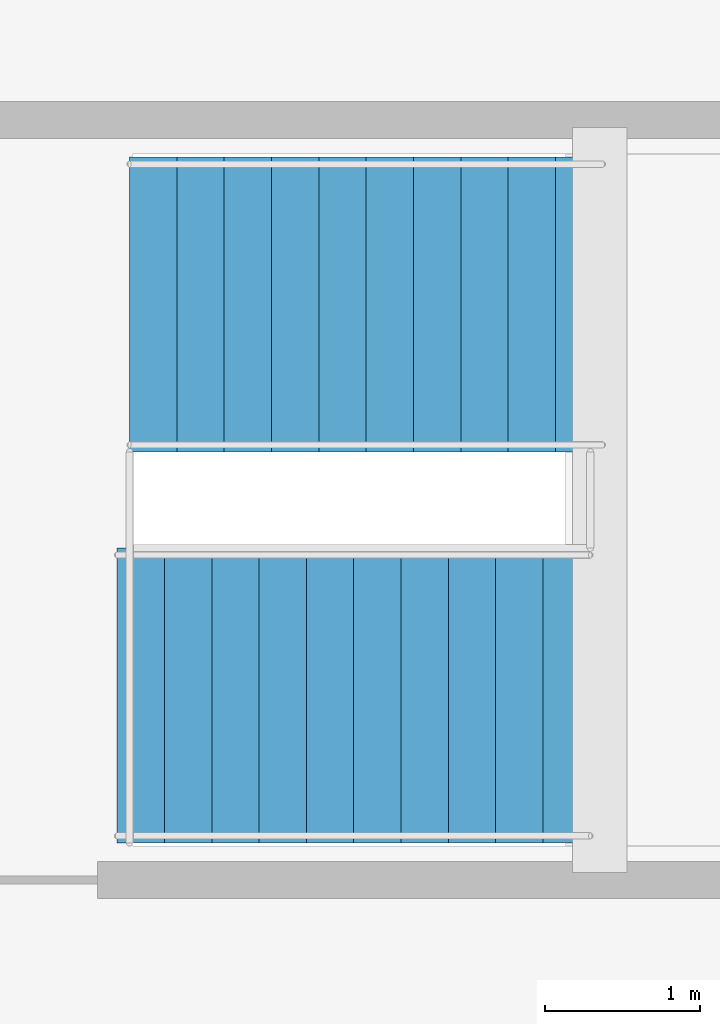
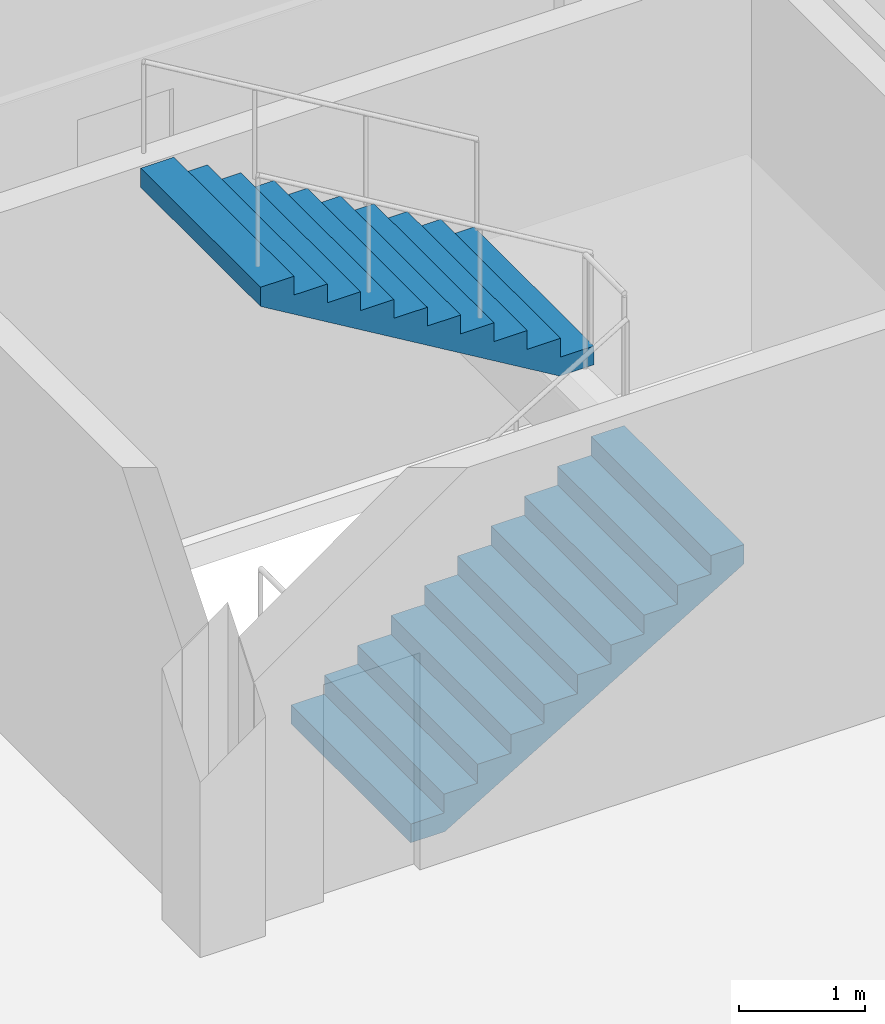
# One storey, part 28 of 31: 2 stair flights, 1 element without a shape of its own.
"""IFC4 building model written with IfcOpenShell, lengths in metres."""

from ifc_helpers import new_model, si_unit, direction, frame, origin, place, context, subcontext, project, spatial, polyline, outline, extrude, material, type_object, element, aggregate, save


model = new_model("IFC4")

# Units and contexts
model_context = context("Model", 3, precision=1e-05, world=origin(), true_north=direction((0.0, 1.0)))
body_context = subcontext(model_context, "Body", "Model", "MODEL_VIEW")
ifc_project = project(units=[si_unit("LENGTHUNIT", "METRE"), si_unit("AREAUNIT", "SQUARE_METRE"), si_unit("VOLUMEUNIT", "CUBIC_METRE"), si_unit("PLANEANGLEUNIT", "RADIAN"), si_unit("MASSUNIT", "GRAM", prefix="KILO")], contexts=[model_context])

# Site, building, storey
site_placement = place(None, origin())
site = spatial("IfcSite", under=ifc_project, at=site_placement, CompositionType="ELEMENT")
building_placement = place(site_placement, origin())
building = spatial("IfcBuilding", under=site, at=building_placement, Name="Celadon Cloister-Ring School", CompositionType="ELEMENT")
storey_placement = place(building_placement, frame((0.0, 0.0, 16.5)))
storey = spatial("IfcBuildingStorey", under=building, at=storey_placement, Name="L04", CompositionType="ELEMENT", Elevation=16.5)

# Stair, stair flights
ifc_material_1 = material(Name="Concrete C35/45", Category="concrete")
stair_type = type_object("IfcStairType", Name="ST-04", PredefinedType="HALF_TURN_STAIR", material=ifc_material_1)
stair_placement = place(storey_placement, origin())
stair = element("IfcStair", 1, at=stair_placement, inside=storey, type_object=stair_type, Name="Exit Stair ST-V5B L04", PredefinedType="HALF_TURN_STAIR")
ifc_material_2 = material(Name="Concrete C35/45", Category="concrete")
stair_flight_type = type_object("IfcStairFlightType", Name="SFL-02", PredefinedType="STRAIGHT", material=ifc_material_2)
stair_flight_1_placement = place(storey_placement, frame((10.18994140625, 51.989990234375, 0.0), z_axis=(0.0, 0.0, 1.0), x_axis=(1.0, 0.0, 0.0)))
stair_flight_1 = element("IfcStairFlight", 2, at=stair_flight_1_placement, type_object=stair_flight_type, Name="ST-04 flight 1", NumberOfRisers=11, NumberOfTreads=10, PredefinedType="STRAIGHT", RiserHeight=0.181818182, TreadLength=0.305, context=body_context, shape_type="SweptSolid", body=[
    extrude(outline(polyline([(0.0, 0.0), (0.0, 0.181884765625), (0.304931640625, 0.181884765625), (0.304931640625, 0.363525390625), (0.610107421875, 0.363525390625), (0.610107421875, 0.54541015625), (0.9150390625, 0.54541015625), (0.9150390625, 0.727294921875), (1.219970703125, 0.727294921875), (1.219970703125, 0.9091796875), (1.52490234375, 0.9091796875), (1.52490234375, 1.0908203125), (1.830078125, 1.0908203125), (1.830078125, 1.272705078125), (2.135009765625, 1.272705078125), (2.135009765625, 1.45458984375), (2.43994140625, 1.45458984375), (2.43994140625, 1.636474609375), (2.7451171875, 1.636474609375), (2.7451171875, 1.818115234375), (3.050048828125, 1.818115234375), (3.050048828125, 2.0), (3.050048828125, 1.632080078125), (0.312255859375, 0.0), (0.0, 0.0)])), frame((0.0, 0.949951171875, 0.0), z_axis=(0.0, -1.0, 0.0), x_axis=(1.0, 0.0, 0.0)), (0.0, 0.0, 1.0), 1.89990234375),
])
stair_flight_2_placement = place(storey_placement, frame((13.320068359375, 54.510009765625, 2.0), z_axis=(0.0, 0.0, 1.0), x_axis=(-1.0, 0.0, 0.0)))
stair_flight_2 = element("IfcStairFlight", 3, at=stair_flight_2_placement, type_object=stair_flight_type, Name="ST-04 flight 2", NumberOfRisers=11, NumberOfTreads=10, PredefinedType="STRAIGHT", RiserHeight=0.181818182, TreadLength=0.305, context=body_context, shape_type="SweptSolid", body=[
    extrude(outline(polyline([(0.0, 0.0), (0.0, 0.181884765625), (0.304931640625, 0.181884765625), (0.304931640625, 0.363525390625), (0.610107421875, 0.363525390625), (0.610107421875, 0.54541015625), (0.9150390625, 0.54541015625), (0.9150390625, 0.727294921875), (1.219970703125, 0.727294921875), (1.219970703125, 0.9091796875), (1.52490234375, 0.9091796875), (1.52490234375, 1.0908203125), (1.830078125, 1.0908203125), (1.830078125, 1.272705078125), (2.135009765625, 1.272705078125), (2.135009765625, 1.45458984375), (2.43994140625, 1.45458984375), (2.43994140625, 1.636474609375), (2.7451171875, 1.636474609375), (2.7451171875, 1.818115234375), (3.050048828125, 1.818115234375), (3.050048828125, 2.0), (3.050048828125, 1.632080078125), (0.312255859375, 0.0), (0.0, 0.0)])), frame((0.0, 0.949951171875, 0.0), z_axis=(0.0, -1.0, 0.0), x_axis=(1.0, 0.0, 0.0)), (0.0, 0.0, 1.0), 1.89990234375),
])
aggregate(stair, [stair_flight_1, stair_flight_2])

save(model, "model.ifc")
